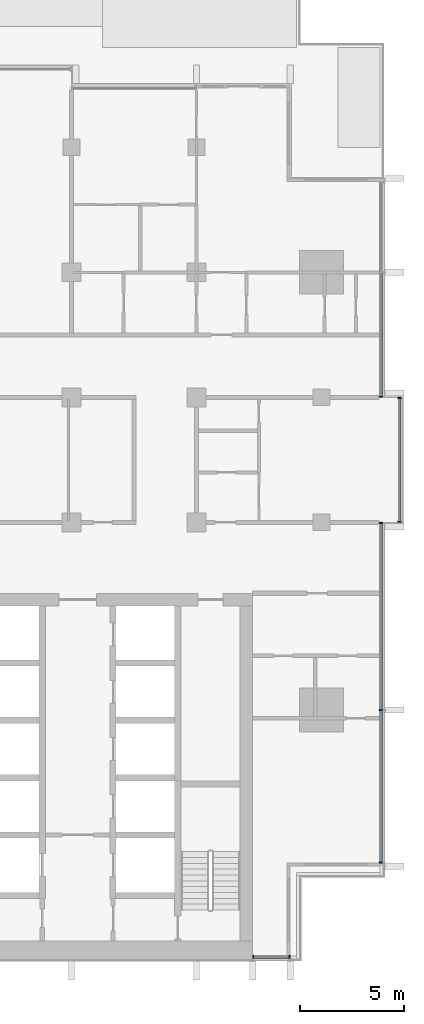
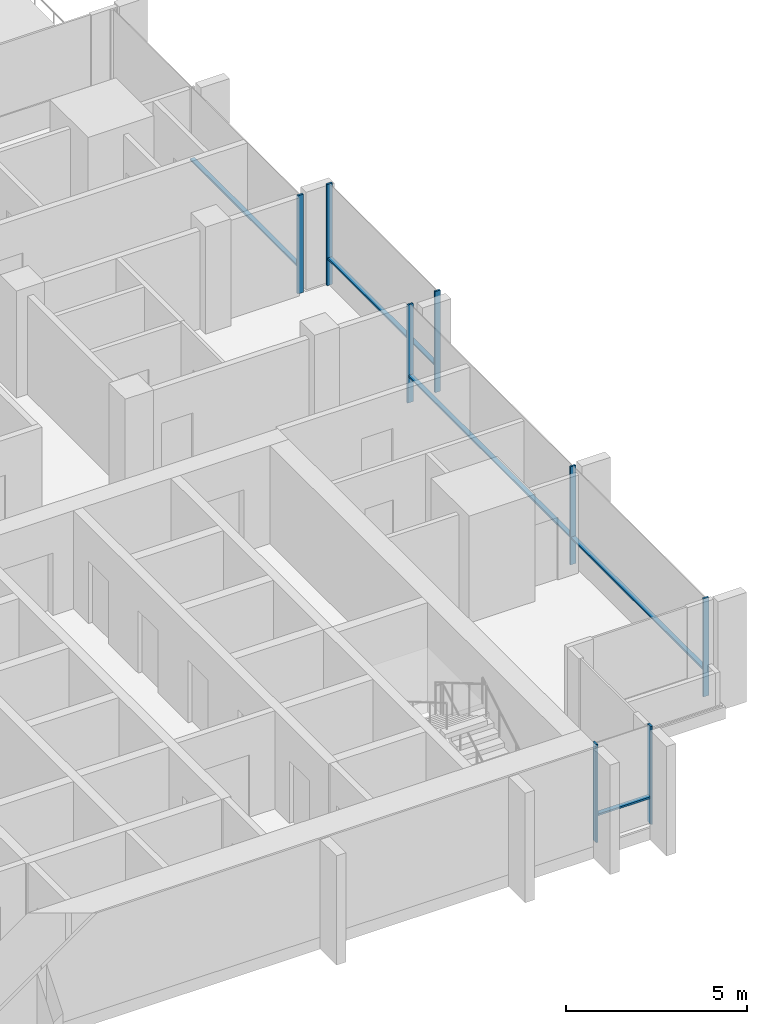
# One storey, part 3 of 17: 13 members, 4 elements without a shape of their own.
"""IFC4 building model written with IfcOpenShell, lengths in metres."""

from ifc_helpers import new_model, si_unit, direction, frame, origin, origin_2d, place, context, subcontext, project, spatial, rectangle, extrude, material, material_profile, profile_set, type_object, element, aggregate, save


model = new_model("IFC4")

# Units and contexts
model_context = context("Model", 3, precision=1e-05, world=origin(), true_north=direction((0.0, 1.0)))
body_context = subcontext(model_context, "Body", "Model", "MODEL_VIEW")
ifc_project = project(units=[si_unit("LENGTHUNIT", "METRE"), si_unit("AREAUNIT", "SQUARE_METRE"), si_unit("VOLUMEUNIT", "CUBIC_METRE"), si_unit("PLANEANGLEUNIT", "RADIAN"), si_unit("MASSUNIT", "GRAM", prefix="KILO")], contexts=[model_context])

# Site, building, storey
site_placement = place(None, origin())
site = spatial("IfcSite", under=ifc_project, at=site_placement, CompositionType="ELEMENT")
building_placement = place(site_placement, origin())
building = spatial("IfcBuilding", under=site, at=building_placement, Name="Finial Court Residences", CompositionType="ELEMENT")
storey_placement = place(building_placement, frame((0.0, 0.0, 205.10009765625)))
storey = spatial("IfcBuildingStorey", under=building, at=storey_placement, Name="L51", CompositionType="ELEMENT", Elevation=205.10009765625)

# Curtain wall, members
ifc_material = material(Name="Bronze anodised aluminium", Category="aluminium")
curtain_wall_type = type_object("IfcCurtainWallType", Name="Unitised curtain wall, upper zones", PredefinedType="NOTDEFINED", material=ifc_material)
curtain_wall_1_placement = place(storey_placement, origin())
curtain_wall_1 = element("IfcCurtainWall", 1, at=curtain_wall_1_placement, inside=storey, type_object=curtain_wall_type, Name="E-L51-CW-E3", PredefinedType="NOTDEFINED")
ifc_material_profile_1 = material_profile(ifc_material, rectangle(XDim=0.175048828125, YDim=0.06005859375, at=origin_2d()), Name="CW2 mullion 60 x 175")
ifc_profile_set_1 = profile_set([ifc_material_profile_1], Name="Bronze anodised aluminium")
member_type_1 = type_object("IfcMemberType", Name="CW2 mullion 60 x 175", PredefinedType="MULLION", material=ifc_profile_set_1)
member_1_placement = place(storey_placement, frame((19.35009765625, -20.820068359375, 0.0), z_axis=(0.0, 0.0, 1.0), x_axis=(-1.0, 0.0, 0.0)))
member_1 = element("IfcMember", 2, at=member_1_placement, type_object=member_type_1, Name="CW2 mullion 1", PredefinedType="MULLION", context=body_context, shape_type="SweptSolid", body=[
    extrude(rectangle(XDim=0.175048828125, YDim=0.06005859375, at=origin_2d()), origin(), (0.0, 0.0, 1.0), 3.2998046875),
])
member_2_placement = place(storey_placement, frame((19.35009765625, -13.5, 0.0), z_axis=(0.0, 0.0, 1.0), x_axis=(-1.0, 0.0, 0.0)))
member_2 = element("IfcMember", 3, at=member_2_placement, type_object=member_type_1, Name="CW2 mullion 2", PredefinedType="MULLION", context=body_context, shape_type="SweptSolid", body=[
    extrude(rectangle(XDim=0.175048828125, YDim=0.06005859375, at=origin_2d()), origin(), (0.0, 0.0, 1.0), 3.2998046875),
])
member_3_placement = place(storey_placement, frame((19.35009765625, -4.530029296875, 0.0), z_axis=(0.0, 0.0, 1.0), x_axis=(-1.0, 0.0, 0.0)))
member_3 = element("IfcMember", 4, at=member_3_placement, type_object=member_type_1, Name="CW2 mullion 3", PredefinedType="MULLION", context=body_context, shape_type="SweptSolid", body=[
    extrude(rectangle(XDim=0.175048828125, YDim=0.06005859375, at=origin_2d()), origin(), (0.0, 0.0, 1.0), 3.2998046875),
])

curtain_wall_2_placement = place(storey_placement, origin())
curtain_wall_2 = element("IfcCurtainWall", 5, at=curtain_wall_2_placement, inside=storey, type_object=curtain_wall_type, Name="E-L51-CW-E4", PredefinedType="NOTDEFINED")
member_4_placement = place(storey_placement, frame((20.25, -4.469970703125, 0.0), z_axis=(0.0, 0.0, 1.0), x_axis=(-1.0, 0.0, 0.0)))
member_4 = element("IfcMember", 6, at=member_4_placement, type_object=member_type_1, Name="CW2 mullion 1", PredefinedType="MULLION", context=body_context, shape_type="SweptSolid", body=[
    extrude(rectangle(XDim=0.175048828125, YDim=0.06005859375, at=origin_2d()), origin(), (0.0, 0.0, 1.0), 3.39990234375),
])
member_5_placement = place(storey_placement, frame((20.25, 1.469970703125, 0.0), z_axis=(0.0, 0.0, 1.0), x_axis=(-1.0, 0.0, 0.0)))
member_5 = element("IfcMember", 7, at=member_5_placement, type_object=member_type_1, Name="CW2 mullion 2", PredefinedType="MULLION", context=body_context, shape_type="SweptSolid", body=[
    extrude(rectangle(XDim=0.175048828125, YDim=0.06005859375, at=origin_2d()), origin(), (0.0, 0.0, 1.0), 3.39990234375),
])

# Curtain wall, member
curtain_wall_3_placement = place(storey_placement, origin())
curtain_wall_3 = element("IfcCurtainWall", 8, at=curtain_wall_3_placement, inside=storey, type_object=curtain_wall_type, Name="E-L51-CW-E5", PredefinedType="NOTDEFINED")
member_6_placement = place(storey_placement, frame((19.35009765625, 1.530029296875, 0.0), z_axis=(0.0, 0.0, 1.0), x_axis=(-1.0, 0.0, 0.0)))
member_6 = element("IfcMember", 9, at=member_6_placement, type_object=member_type_1, Name="CW2 mullion 1", PredefinedType="MULLION", context=body_context, shape_type="SweptSolid", body=[
    extrude(rectangle(XDim=0.175048828125, YDim=0.06005859375, at=origin_2d()), origin(), (0.0, 0.0, 1.0), 3.2998046875),
])

# Curtain wall, members
curtain_wall_4_placement = place(storey_placement, origin())
curtain_wall_4 = element("IfcCurtainWall", 10, at=curtain_wall_4_placement, inside=storey, type_object=curtain_wall_type, Name="E-L51-CW-S7", PredefinedType="NOTDEFINED")
member_7_placement = place(storey_placement, frame((13.22998046875, -25.35009765625, 0.0), z_axis=(0.0, 0.0, 1.0), x_axis=(0.0, 1.0, 0.0)))
member_7 = element("IfcMember", 11, at=member_7_placement, type_object=member_type_1, Name="CW2 mullion 1", PredefinedType="MULLION", context=body_context, shape_type="SweptSolid", body=[
    extrude(rectangle(XDim=0.175048828125, YDim=0.06005859375, at=origin_2d()), origin(), (0.0, 0.0, 1.0), 3.2998046875),
])
member_8_placement = place(storey_placement, frame((14.969970703125, -25.35009765625, 0.0), z_axis=(0.0, 0.0, 1.0), x_axis=(0.0, 1.0, 0.0)))
member_8 = element("IfcMember", 12, at=member_8_placement, type_object=member_type_1, Name="CW2 mullion 2", PredefinedType="MULLION", context=body_context, shape_type="SweptSolid", body=[
    extrude(rectangle(XDim=0.175048828125, YDim=0.06005859375, at=origin_2d()), origin(), (0.0, 0.0, 1.0), 3.2998046875),
])

# Member
ifc_material_profile_2 = material_profile(ifc_material, rectangle(XDim=0.139892578125, YDim=0.06005859375, at=origin_2d()), Name="CW2 transom 60 x 140")
ifc_profile_set_2 = profile_set([ifc_material_profile_2], Name="Bronze anodised aluminium")
member_type_2 = type_object("IfcMemberType", Name="CW2 transom 60 x 140", PredefinedType="USERDEFINED", material=ifc_profile_set_2)
member_9_placement = place(storey_placement, frame((19.35009765625, -20.7900390625, 0.89990234375), z_axis=(0.0, 1.0, 0.0), x_axis=(-1.0, 0.0, 0.0)))
member_9 = element("IfcMember", 13, at=member_9_placement, type_object=member_type_2, Name="CW2 transom 1.1", ObjectType="TRANSOM", PredefinedType="USERDEFINED", context=body_context, shape_type="SweptSolid", body=[
    extrude(rectangle(XDim=0.139892578125, YDim=0.06005859375, at=origin_2d()), origin(), (0.0, 0.0, 1.0), 7.260009765625),
])

member_10_placement = place(storey_placement, frame((19.35009765625, -13.469970703125, 0.89990234375), z_axis=(0.0, 1.0, 0.0), x_axis=(-1.0, 0.0, 0.0)))
member_10 = element("IfcMember", 14, at=member_10_placement, type_object=member_type_2, Name="CW2 transom 2.1", ObjectType="TRANSOM", PredefinedType="USERDEFINED", context=body_context, shape_type="SweptSolid", body=[
    extrude(rectangle(XDim=0.139892578125, YDim=0.06005859375, at=origin_2d()), origin(), (0.0, 0.0, 1.0), 8.909912109375),
])

aggregate(curtain_wall_1, [member_1, member_2, member_3, member_9, member_10])

member_11_placement = place(storey_placement, frame((20.25, -4.43994140625, 0.89990234375), z_axis=(0.0, 1.0, 0.0), x_axis=(-1.0, 0.0, 0.0)))
member_11 = element("IfcMember", 15, at=member_11_placement, type_object=member_type_2, Name="CW2 transom 1.1", ObjectType="TRANSOM", PredefinedType="USERDEFINED", context=body_context, shape_type="SweptSolid", body=[
    extrude(rectangle(XDim=0.139892578125, YDim=0.06005859375, at=origin_2d()), origin(), (0.0, 0.0, 1.0), 5.8798828125),
])

aggregate(curtain_wall_2, [member_4, member_5, member_11])

member_12_placement = place(storey_placement, frame((19.35009765625, 1.56005859375, 0.89990234375), z_axis=(0.0, 1.0, 0.0), x_axis=(-1.0, 0.0, 0.0)))
member_12 = element("IfcMember", 16, at=member_12_placement, type_object=member_type_2, Name="CW2 transom 1.1", ObjectType="TRANSOM", PredefinedType="USERDEFINED", context=body_context, shape_type="SweptSolid", body=[
    extrude(rectangle(XDim=0.139892578125, YDim=0.06005859375, at=origin_2d()), origin(), (0.0, 0.0, 1.0), 5.909912109375),
])

aggregate(curtain_wall_3, [member_6, member_12])

member_13_placement = place(storey_placement, frame((13.260009765625, -25.35009765625, 0.89990234375), z_axis=(1.0, 0.0, 0.0), x_axis=(0.0, 1.0, 0.0)))
member_13 = element("IfcMember", 17, at=member_13_placement, type_object=member_type_2, Name="CW2 transom 1.1", ObjectType="TRANSOM", PredefinedType="USERDEFINED", context=body_context, shape_type="SweptSolid", body=[
    extrude(rectangle(XDim=0.139892578125, YDim=0.06005859375, at=origin_2d()), origin(), (0.0, 0.0, 1.0), 1.679931640625),
])

aggregate(curtain_wall_4, [member_7, member_8, member_13])

save(model, "model.ifc")
